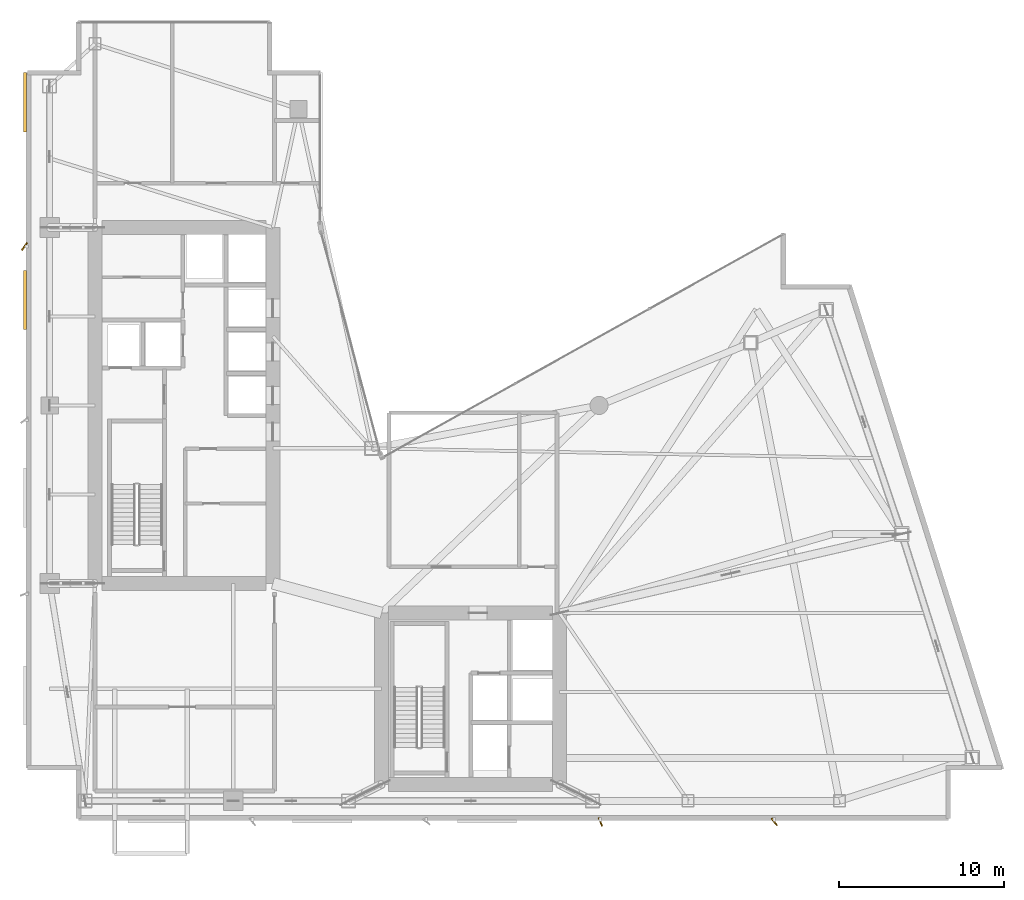
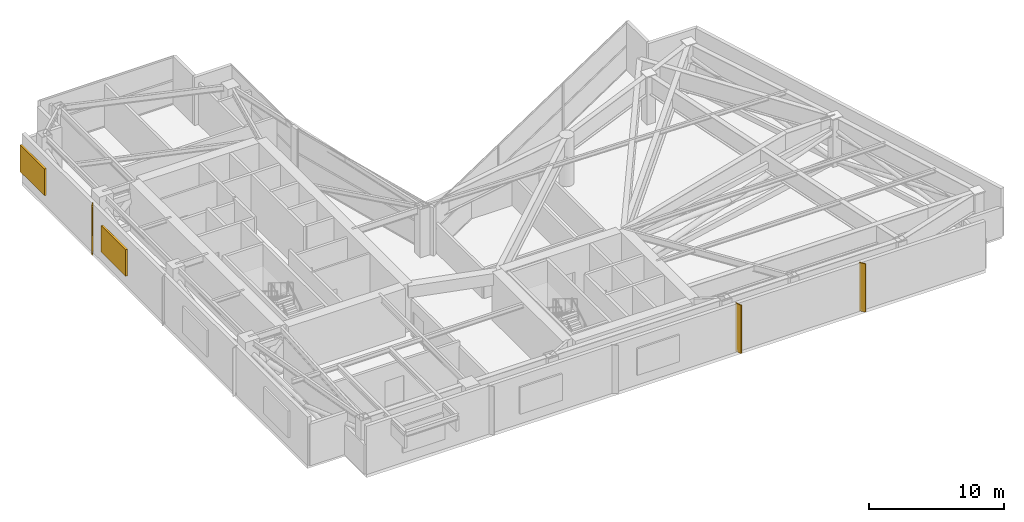
# One storey, part 17 of 17: 5 shading devices.
"""IFC4 building model written with IfcOpenShell, lengths in metres."""

from ifc_helpers import new_model, si_unit, direction, frame, origin, origin_2d, place, context, subcontext, project, spatial, rectangle, extrude, material, type_object, element, save


model = new_model("IFC4")

# Units and contexts
model_context = context("Model", 3, precision=1e-05, world=origin(), true_north=direction((0.0, 1.0)))
body_context = subcontext(model_context, "Body", "Model", "MODEL_VIEW")
ifc_project = project(units=[si_unit("LENGTHUNIT", "METRE"), si_unit("AREAUNIT", "SQUARE_METRE"), si_unit("VOLUMEUNIT", "CUBIC_METRE"), si_unit("PLANEANGLEUNIT", "RADIAN"), si_unit("MASSUNIT", "GRAM", prefix="KILO")], contexts=[model_context])

# Site, building, storey
site_placement = place(None, origin())
site = spatial("IfcSite", under=ifc_project, at=site_placement, CompositionType="ELEMENT")
building_placement = place(site_placement, origin())
building = spatial("IfcBuilding", under=site, at=building_placement, Name="Calvorn Quay Hotel", CompositionType="ELEMENT")
storey_placement = place(building_placement, frame((0.0, 0.0, 186.5)))
storey = spatial("IfcBuildingStorey", under=building, at=storey_placement, Name="L46", CompositionType="ELEMENT", Elevation=186.5)

# Shading devices
ifc_material_1 = material(Name="Champagne Bronze Anodised Aluminium 6063-T6", Category="aluminium")
shading_device_type_1 = type_object("IfcShadingDeviceType", Name="SHD-FIN-A1", PredefinedType="USERDEFINED", material=ifc_material_1)
shading_device_1_placement = place(storey_placement, frame((34.8798828125, 2.320068359375, 0.0), z_axis=(0.0, 0.0, 1.0), x_axis=(-0.374606593416, 0.927183854567, 0.0)))
element("IfcShadingDevice", 1, at=shading_device_1_placement, inside=storey, type_object=shading_device_type_1, Name="Diagonal Sun-Shading Fin L46-S03", ObjectType="FIN", PredefinedType="USERDEFINED", context=body_context, shape_type="SweptSolid", body=[
    extrude(rectangle(XDim=0.550048828125, YDim=0.080078125, at=origin_2d()), origin(), (0.0, 0.0, 1.0), 4.35009765625),
])
ifc_material_2 = material(Name="Champagne Bronze Anodised Aluminium 6063-T6", Category="aluminium")
shading_device_type_2 = type_object("IfcShadingDeviceType", Name="SHD-FIN-A2", PredefinedType="USERDEFINED", material=ifc_material_2)
shading_device_2_placement = place(storey_placement, frame((45.43994140625, 2.320068359375, 0.0), z_axis=(0.0, 0.0, 1.0), x_axis=(-0.615661475326, 0.788010753607, 0.0)))
element("IfcShadingDevice", 2, at=shading_device_2_placement, inside=storey, type_object=shading_device_type_2, Name="Diagonal Sun-Shading Fin L46-S04", ObjectType="FIN", PredefinedType="USERDEFINED", context=body_context, shape_type="SweptSolid", body=[
    extrude(rectangle(XDim=0.550048828125, YDim=0.080078125, at=origin_2d()), origin(), (0.0, 0.0, 1.0), 4.35009765625),
])
ifc_material_3 = material(Name="Champagne Bronze Anodised Aluminium 6063-T6", Category="aluminium")
shading_device_type_3 = type_object("IfcShadingDeviceType", Name="SHD-FIN-A3", PredefinedType="USERDEFINED", material=ifc_material_3)
shading_device_3_placement = place(storey_placement, frame((-0.080078125, 37.25, 0.0), z_axis=(0.0, 0.0, 1.0), x_axis=(0.587785252292, 0.809016994375, 0.0)))
element("IfcShadingDevice", 3, at=shading_device_3_placement, inside=storey, type_object=shading_device_type_3, Name="Diagonal Sun-Shading Fin L46-W03", ObjectType="FIN", PredefinedType="USERDEFINED", context=body_context, shape_type="SweptSolid", body=[
    extrude(rectangle(XDim=0.550048828125, YDim=0.080078125, at=origin_2d()), origin(), (0.0, 0.0, 1.0), 4.35009765625),
])
ifc_material_4 = material(Name="Anodised Aluminium 6063-T6", Category="aluminium")
shading_device_type_4 = type_object("IfcShadingDeviceType", Name="SHD-MECH-LOUVRE", PredefinedType="USERDEFINED", material=ifc_material_4)
for number, where, z_axis, x_axis, name in (
    (4, (-0.06005859375, 34.0, 0.97509765625), (0.0, 0.0, 1.0), (1.0, 0.0, 0.0), "Refuge Stormproof Intake Louvre L46-W3"),
    (5, (-0.06005859375, 46.0, 0.97509765625), (0.0, 0.0, 1.0), (1.0, 0.0, 0.0), "Refuge Stormproof Intake Louvre L46-W4"),
):
    element("IfcShadingDevice", number, at=place(storey_placement, frame(where, z_axis=z_axis, x_axis=x_axis)), inside=storey, type_object=shading_device_type_4, Name=name, ObjectType="LOUVRE", PredefinedType="USERDEFINED", context=body_context, shape_type="SweptSolid", body=[
        extrude(rectangle(XDim=0.179931640625, YDim=3.60009765625, at=origin_2d()), origin(), (0.0, 0.0, 1.0), 2.39990234375),
    ])

save(model, "model.ifc")
